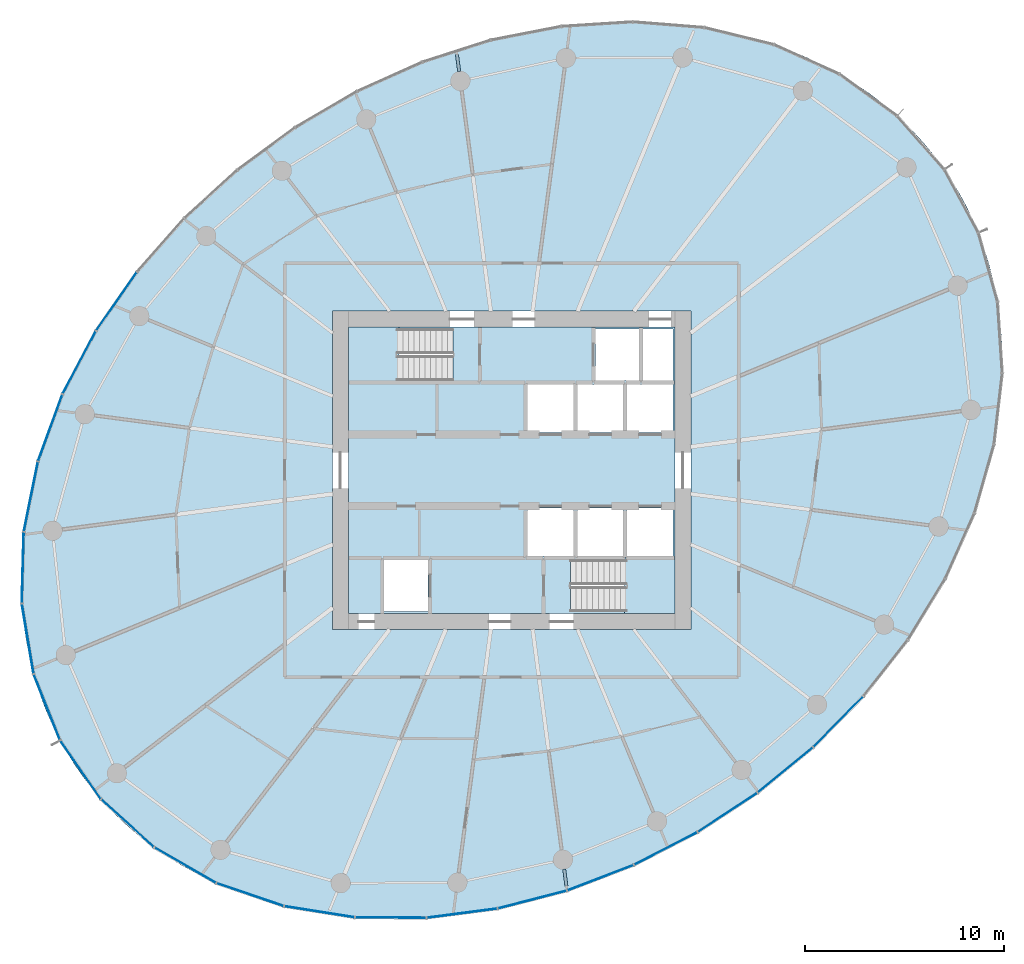
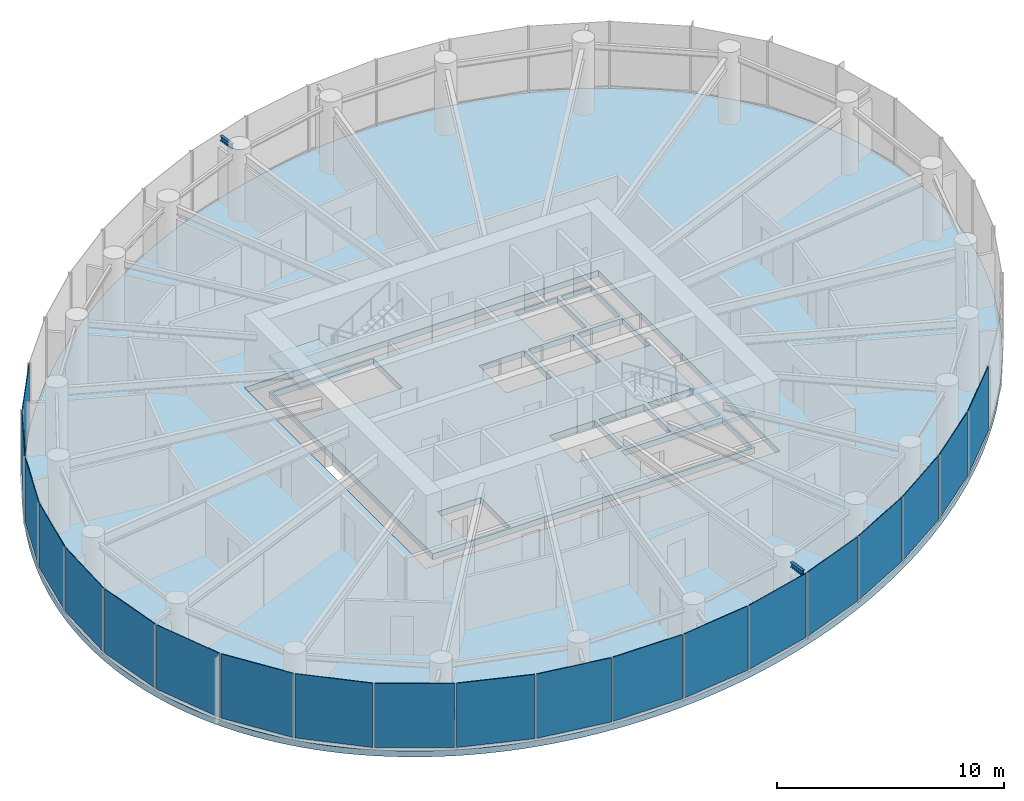
# One storey, part 7 of 14: 20 plates, 4 slabs, 2 beams, 6 elements without a shape of their own.
"""IFC4 building model written with IfcOpenShell, lengths in metres."""

from ifc_helpers import new_model, si_unit, direction, frame, origin, origin_2d, place, context, subcontext, project, spatial, line, indexed_curve, rectangle, i_section, outline, extrude, source, transform, mapped, material, layer, layer_set, material_profile, profile_set, type_object, element, aggregate, save


model = new_model("IFC4")

# Units and contexts
model_context = context("Model", 3, precision=1e-05, world=origin(), true_north=direction((0.0, 1.0)))
body_context = subcontext(model_context, "Body", "Model", "MODEL_VIEW")
ifc_project = project(units=[si_unit("LENGTHUNIT", "METRE"), si_unit("AREAUNIT", "SQUARE_METRE"), si_unit("VOLUMEUNIT", "CUBIC_METRE"), si_unit("PLANEANGLEUNIT", "RADIAN"), si_unit("MASSUNIT", "GRAM", prefix="KILO")], contexts=[model_context])

# Site, building, storey
site_placement = place(None, origin())
site = spatial("IfcSite", under=ifc_project, at=site_placement, CompositionType="ELEMENT")
building_placement = place(site_placement, origin())
building = spatial("IfcBuilding", under=site, at=building_placement, Name="Spindrift Exchange Tower", CompositionType="ELEMENT")
storey_placement = place(building_placement, frame((0.0, 0.0, 156.5)))
storey = spatial("IfcBuildingStorey", under=building, at=storey_placement, Name="L37", CompositionType="ELEMENT", Elevation=156.5)

# Beams
ifc_material_1 = material(Name="Steel Grade 300", Category="steel")
ifc_material_profile = material_profile(ifc_material_1, i_section(OverallWidth=0.14599609375, OverallDepth=0.251953125, WebThickness=0.006103515625, FlangeThickness=0.008544921875, FilletRadius=0.011962890625, at=origin_2d()), Name="250UB31.4")
ifc_profile_set = profile_set([ifc_material_profile], Name="Steel Grade 300")
beam_type = type_object("IfcBeamType", Name="Cantilever Beam 250UB31.4 Steel Grade 300", PredefinedType="BEAM", material=ifc_profile_set)
shared_shape_1 = source(origin(), body_context, "Body", "SweptSolid", [
    extrude(i_section(OverallWidth=0.14599609375, OverallDepth=0.251953125, WebThickness=0.006103515625, FlangeThickness=0.008544921875, FilletRadius=0.011962890625, at=origin_2d()), origin(), (0.0, 0.0, 1.0), 0.859619140625),
])
for number, where, z_axis, x_axis, name in (
    (1, (49.36328125, 68.027099609375, 3.4541015625), (-0.130359005339, 0.991466857604, 0.0), (-0.991466857604, -0.130359005339, 0.0), "L37 cantilever beam R07T"),
    (2, (54.63671875, 27.972900390625, 3.4541015625), (0.130359005339, -0.991466857604, 0.0), (0.991466857604, 0.130359005339, 0.0), "L37 cantilever beam R19T"),
):
    element("IfcBeam", number, at=place(storey_placement, frame(where, z_axis=z_axis, x_axis=x_axis)), inside=storey, type_object=beam_type, Name=name, PredefinedType="BEAM", context=body_context, shape_type="MappedRepresentation", body=[
        mapped(shared_shape_1, transform((0.0, 0.0, 0.0), scale=1.0)),
    ])

# Slabs
ifc_material_2 = material(Name="Concrete 40 MPa", Category="concrete")
ifc_layer_1 = layer(ifc_material_2, 0.320068359375)
ifc_layer_set_1 = layer_set([ifc_layer_1], Name="RC Floor Slab 320 Concrete 40 MPa")
slab_type_1 = type_object("IfcSlabType", Name="RC Floor Slab 320 Concrete 40 MPa", PredefinedType="FLOOR", material=ifc_layer_set_1)
slab_1_placement = place(storey_placement, frame((0.0, 0.0, -0.320068359375)))
element("IfcSlab", 3, at=slab_1_placement, inside=storey, type_object=slab_type_1, Name="Floor slab L37", PredefinedType="FLOOR", context=body_context, shape_type="SweptSolid", body=[
    extrude(outline(indexed_curve([(73.730224609375, 63.10009765625), (73.49169921875, 63.433837890625), (73.244384765625, 63.76123046875), (72.989013671875, 64.08203125), (72.724853515625, 64.396240234375), (72.452880859375, 64.703369140625), (72.173095703125, 65.00341796875), (71.885498046875, 65.2958984375), (71.590576171875, 65.581298828125), (71.288330078125, 65.858642578125), (70.979248046875, 66.12841796875), (70.66357421875, 66.390380859375), (70.34130859375, 66.644287109375), (70.0126953125, 66.890380859375), (69.33837890625, 67.35791015625), (68.642578125, 67.79248046875), (67.927001953125, 68.19384765625), (67.5625, 68.382080078125), (66.821044921875, 68.733642578125), (66.444580078125, 68.89697265625), (65.681884765625, 69.19921875), (64.906982421875, 69.468994140625), (64.515380859375, 69.591796875), (63.725341796875, 69.8134765625), (62.92724609375, 70.00390625), (62.525634765625, 70.087646484375), (61.718017578125, 70.232421875), (61.312255859375, 70.29345703125), (60.497802734375, 70.393798828125), (60.089599609375, 70.433349609375), (59.27099609375, 70.490966796875), (58.861083984375, 70.50927734375), (58.040771484375, 70.52587890625), (57.630615234375, 70.52392578125), (56.810302734375, 70.500732421875), (56.400390625, 70.4794921875), (55.582275390625, 70.418212890625), (55.173828125, 70.378173828125), (54.359130859375, 70.280029296875), (53.5478515625, 70.158203125), (53.143310546875, 70.088623046875), (52.739990234375, 70.013427734375), (51.936767578125, 69.845947265625), (51.138427734375, 69.656494140625), (50.7412109375, 69.5537109375), (50.345458984375, 69.445556640625), (49.558349609375, 69.213623046875), (49.167236328125, 69.08984375), (48.389892578125, 68.827392578125), (47.619384765625, 68.544921875), (47.23681640625, 68.396484375), (46.856201171875, 68.243408203125), (46.10107421875, 67.922607421875), (45.35400390625, 67.583251953125), (44.9833984375, 67.406494140625), (44.615234375, 67.2255859375), (43.8857421875, 66.85009765625), (42.808837890625, 66.25390625), (42.103271484375, 65.835205078125), (41.40771484375, 65.399658203125), (40.384521484375, 64.715576171875), (39.38671875, 63.9951171875), (38.73583984375, 63.495361328125), (38.097412109375, 62.97998046875), (37.1630859375, 62.1787109375), (36.8583984375, 61.904052734375), (36.2587890625, 61.343994140625), (35.673095703125, 60.769287109375), (35.385498046875, 60.4765625), (35.1015625, 60.180419921875), (34.545166015625, 59.577392578125), (34.00390625, 58.96044921875), (33.7392578125, 58.64697265625), (33.22216796875, 58.010009765625), (32.9697265625, 57.686279296875), (32.7216796875, 57.359619140625), (32.238525390625, 56.6962890625), (32.003662109375, 56.360107421875), (31.547607421875, 55.677734375), (31.110595703125, 54.9833984375), (30.8994140625, 54.631591796875), (30.491943359375, 53.919189453125), (30.2958984375, 53.558837890625), (29.919921875, 52.82958984375), (29.739990234375, 52.460693359375), (29.397216796875, 51.71533203125), (29.234375, 51.338623046875), (28.926513671875, 50.578125), (28.78173828125, 50.194091796875), (28.643310546875, 49.80810546875), (28.385498046875, 49.029052734375), (28.266357421875, 48.636474609375), (28.048583984375, 47.84521484375), (27.8583984375, 47.047119140625), (27.7744140625, 46.6455078125), (27.62841796875, 45.838134765625), (27.566650390625, 45.432373046875), (27.466796875, 44.617919921875), (27.428955078125, 44.20947265625), (27.377685546875, 43.390380859375), (27.360107421875, 42.5703125), (27.37744140625, 41.75), (27.3994140625, 41.340087890625), (27.470458984375, 40.522705078125), (27.51953125, 40.115478515625), (27.646240234375, 39.3046875), (27.810791015625, 38.5009765625), (28.013671875, 37.705810546875), (28.129638671875, 37.3125), (28.25537109375, 36.921875), (28.390625, 36.534423828125), (28.535888671875, 36.150634765625), (28.690673828125, 35.770751953125), (28.85498046875, 35.394775390625), (29.029052734375, 35.023193359375), (29.21240234375, 34.65625), (29.405517578125, 34.294189453125), (29.60791015625, 33.9375), (29.8193359375, 33.5859375), (30.0400390625, 33.239990234375), (30.269775390625, 32.89990234375), (30.50830078125, 32.566162109375), (30.755615234375, 32.23876953125), (31.010986328125, 31.91796875), (31.275146484375, 31.603759765625), (31.547119140625, 31.296630859375), (31.826904296875, 30.99658203125), (32.114501953125, 30.7041015625), (32.409423828125, 30.418701171875), (32.711669921875, 30.141357421875), (33.020751953125, 29.87158203125), (33.33642578125, 29.609619140625), (33.65869140625, 29.355712890625), (33.9873046875, 29.109619140625), (34.66162109375, 28.64208984375), (35.357421875, 28.20751953125), (36.072998046875, 27.80615234375), (36.4375, 27.617919921875), (37.178955078125, 27.266357421875), (37.555419921875, 27.10302734375), (38.318115234375, 26.80078125), (39.093017578125, 26.531005859375), (39.484619140625, 26.408203125), (40.274658203125, 26.1865234375), (41.07275390625, 25.99609375), (41.474365234375, 25.912353515625), (42.281982421875, 25.767578125), (42.687744140625, 25.70654296875), (43.502197265625, 25.606201171875), (43.910400390625, 25.566650390625), (44.72900390625, 25.509033203125), (45.138916015625, 25.49072265625), (45.959228515625, 25.47412109375), (46.369384765625, 25.47607421875), (47.189697265625, 25.499267578125), (47.599609375, 25.5205078125), (48.417724609375, 25.581787109375), (48.826171875, 25.621826171875), (49.640869140625, 25.719970703125), (50.4521484375, 25.841796875), (50.856689453125, 25.911376953125), (51.260009765625, 25.986572265625), (52.063232421875, 26.154052734375), (52.861572265625, 26.343505859375), (53.2587890625, 26.4462890625), (53.654541015625, 26.554443359375), (54.441650390625, 26.786376953125), (54.832763671875, 26.91015625), (55.610107421875, 27.172607421875), (56.380615234375, 27.455078125), (56.76318359375, 27.603515625), (57.143798828125, 27.756591796875), (57.89892578125, 28.077392578125), (58.64599609375, 28.416748046875), (59.0166015625, 28.593505859375), (59.384765625, 28.7744140625), (60.1142578125, 29.14990234375), (61.191162109375, 29.74609375), (61.896728515625, 30.164794921875), (62.59228515625, 30.600341796875), (63.615478515625, 31.284423828125), (64.61328125, 32.0048828125), (65.26416015625, 32.504638671875), (65.902587890625, 33.02001953125), (66.8369140625, 33.8212890625), (67.1416015625, 34.095947265625), (67.7412109375, 34.656005859375), (68.326904296875, 35.230712890625), (68.614501953125, 35.5234375), (68.8984375, 35.819580078125), (69.454833984375, 36.422607421875), (69.99609375, 37.03955078125), (70.2607421875, 37.35302734375), (70.77783203125, 37.989990234375), (71.0302734375, 38.313720703125), (71.2783203125, 38.640380859375), (71.761474609375, 39.3037109375), (71.996337890625, 39.639892578125), (72.452392578125, 40.322265625), (72.889404296875, 41.0166015625), (73.1005859375, 41.368408203125), (73.508056640625, 42.080810546875), (73.7041015625, 42.441162109375), (74.080078125, 43.17041015625), (74.260009765625, 43.539306640625), (74.602783203125, 44.28466796875), (74.765625, 44.661376953125), (75.073486328125, 45.421875), (75.21826171875, 45.805908203125), (75.356689453125, 46.19189453125), (75.614501953125, 46.970947265625), (75.733642578125, 47.363525390625), (75.951416015625, 48.15478515625), (76.1416015625, 48.952880859375), (76.2255859375, 49.3544921875), (76.37158203125, 50.161865234375), (76.433349609375, 50.567626953125), (76.533203125, 51.382080078125), (76.571044921875, 51.79052734375), (76.622314453125, 52.609619140625), (76.639892578125, 53.4296875), (76.62255859375, 54.25), (76.6005859375, 54.659912109375), (76.529541015625, 55.477294921875), (76.48046875, 55.884521484375), (76.353759765625, 56.6953125), (76.189208984375, 57.4990234375), (75.986328125, 58.294189453125), (75.870361328125, 58.6875), (75.74462890625, 59.078125), (75.609375, 59.465576171875), (75.464111328125, 59.849365234375), (75.309326171875, 60.229248046875), (75.14501953125, 60.605224609375), (74.970947265625, 60.976806640625), (74.78759765625, 61.34375), (74.594482421875, 61.705810546875), (74.39208984375, 62.0625), (74.1806640625, 62.4140625), (73.9599609375, 62.760009765625)], segments=[line(1, 2, 3, 4, 5, 6, 7, 8, 9, 10, 11, 12, 13, 14, 15, 16, 17, 18, 19, 20, 21, 22, 23, 24, 25, 26, 27, 28, 29, 30, 31, 32, 33, 34, 35, 36, 37, 38, 39, 40, 41, 42, 43, 44, 45, 46, 47, 48, 49, 50, 51, 52, 53, 54, 55, 56, 57, 58, 59, 60, 61, 62, 63, 64, 65, 66, 67, 68, 69, 70, 71, 72, 73, 74, 75, 76, 77, 78, 79, 80, 81, 82, 83, 84, 85, 86, 87, 88, 89, 90, 91, 92, 93, 94, 95, 96, 97, 98, 99, 100, 101, 102, 103, 104, 105, 106, 107, 108, 109, 110, 111, 112, 113, 114, 115, 116, 117, 118, 119, 120, 121, 122, 123, 124, 125, 126, 127, 128, 129, 130, 131, 132, 133, 134, 135, 136, 137, 138, 139, 140, 141, 142, 143, 144, 145, 146, 147, 148, 149, 150, 151, 152, 153, 154, 155, 156, 157, 158, 159, 160, 161, 162, 163, 164, 165, 166, 167, 168, 169, 170, 171, 172, 173, 174, 175, 176, 177, 178, 179, 180, 181, 182, 183, 184, 185, 186, 187, 188, 189, 190, 191, 192, 193, 194, 195, 196, 197, 198, 199, 200, 201, 202, 203, 204, 205, 206, 207, 208, 209, 210, 211, 212, 213, 214, 215, 216, 217, 218, 219, 220, 221, 222, 223, 224, 225, 226, 227, 228, 229, 230, 231, 232, 233, 234, 235, 236, 237, 238, 239, 240, 1)], self_intersect=False), holes=[indexed_curve([(43.0, 40.0), (61.0, 40.0), (61.0, 56.0), (43.0, 56.0)], segments=[line(1, 2, 3, 4, 1)], self_intersect=False)]), origin(), (0.0, 0.0, 1.0), 0.320068359375),
])
ifc_material_3 = material(Name="Concrete 50 MPa", Category="concrete")
ifc_layer_2 = layer(ifc_material_3, 0.320068359375)
ifc_layer_set_2 = layer_set([ifc_layer_2], Name="SL-CORE-FLOOR-320")
slab_type_2 = type_object("IfcSlabType", Name="SL-CORE-FLOOR-320", PredefinedType="FLOOR", material=ifc_layer_set_2)
slab_2_placement = place(storey_placement, frame((0.0, 0.0, -0.320068359375)))
element("IfcSlab", 4, at=slab_2_placement, inside=storey, type_object=slab_type_2, Name="L37 Core floor slab", PredefinedType="FLOOR", context=body_context, shape_type="SweptSolid", body=[
    extrude(outline(indexed_curve([(43.800048828125, 40.800048828125), (43.800048828125, 55.199951171875), (60.199951171875, 55.199951171875), (60.199951171875, 40.800048828125)], segments=[line(1, 2, 3, 4, 1)], self_intersect=False), holes=[indexed_curve([(45.60009765625, 43.5), (45.60009765625, 40.89990234375), (47.800048828125, 40.89990234375), (47.800048828125, 43.5)], segments=[line(1, 2, 3, 4, 1)], self_intersect=False), indexed_curve([(52.800048828125, 46.10009765625), (52.800048828125, 43.699951171875), (55.10009765625, 43.699951171875), (55.10009765625, 46.10009765625)], segments=[line(1, 2, 3, 4, 1)], self_intersect=False), indexed_curve([(55.300048828125, 46.10009765625), (55.300048828125, 43.699951171875), (57.60009765625, 43.699951171875), (57.60009765625, 46.10009765625)], segments=[line(1, 2, 3, 4, 1)], self_intersect=False), indexed_curve([(55.10009765625, 52.300048828125), (52.800048828125, 52.300048828125), (52.800048828125, 49.89990234375), (55.10009765625, 49.89990234375)], segments=[line(1, 2, 3, 4, 1)], self_intersect=False), indexed_curve([(57.60009765625, 52.300048828125), (55.300048828125, 52.300048828125), (55.300048828125, 49.89990234375), (57.60009765625, 49.89990234375)], segments=[line(1, 2, 3, 4, 1)], self_intersect=False), indexed_curve([(43.906005859375, 52.506103515625), (49.0439453125, 52.506103515625), (49.0439453125, 55.093994140625), (43.906005859375, 55.093994140625)], segments=[line(1, 2, 3, 4, 1)], self_intersect=False), indexed_curve([(60.093994140625, 40.906005859375), (60.093994140625, 43.493896484375), (54.9560546875, 43.493896484375), (54.9560546875, 40.906005859375)], segments=[line(1, 2, 3, 4, 1)], self_intersect=False), indexed_curve([(60.10009765625, 46.10009765625), (57.800048828125, 46.10009765625), (57.800048828125, 43.699951171875), (60.10009765625, 43.699951171875)], segments=[line(1, 2, 3, 4, 1)], self_intersect=False), indexed_curve([(57.800048828125, 52.300048828125), (57.800048828125, 49.89990234375), (60.10009765625, 49.89990234375), (60.10009765625, 52.300048828125)], segments=[line(1, 2, 3, 4, 1)], self_intersect=False), indexed_curve([(58.39990234375, 55.10009765625), (56.199951171875, 55.10009765625), (56.199951171875, 52.5), (58.39990234375, 52.5)], segments=[line(1, 2, 3, 4, 1)], self_intersect=False), indexed_curve([(60.10009765625, 55.10009765625), (58.60009765625, 55.10009765625), (58.60009765625, 52.5), (60.10009765625, 52.5)], segments=[line(1, 2, 3, 4, 1)], self_intersect=False)]), origin(), (0.0, 0.0, 1.0), 0.320068359375),
])

# Stair, slab
stair_type = type_object("IfcStairType", Name="ST-1250-R177", PredefinedType="HALF_TURN_STAIR", material=ifc_material_3)
stair_1_placement = place(storey_placement, origin())
stair_1 = element("IfcStair", 5, at=stair_1_placement, inside=storey, type_object=stair_type, Name="L37 Exit stair ST1", PredefinedType="HALF_TURN_STAIR")
ifc_layer_3 = layer(ifc_material_3, 0.199951171875)
ifc_layer_set_3 = layer_set([ifc_layer_3], Name="SL-LANDING")
slab_type_3 = type_object("IfcSlabType", Name="SL-LANDING", PredefinedType="LANDING", material=ifc_layer_set_3)
slab_3_placement = place(storey_placement, frame((0.0, 0.0, 1.75)))
slab_3 = element("IfcSlab", 6, at=slab_3_placement, type_object=slab_type_3, Name="ST1 landing 1", PredefinedType="LANDING", context=body_context, shape_type="SweptSolid", body=[
    extrude(outline(indexed_curve([(46.330078125, 52.39990234375), (43.800048828125, 52.39990234375), (43.800048828125, 55.199951171875), (46.330078125, 55.199951171875)], segments=[line(1, 2, 3, 4, 1)], self_intersect=False)), origin(), (0.0, 0.0, 1.0), 0.199951171875),
])
aggregate(stair_1, [slab_3])

stair_2_placement = place(storey_placement, origin())
stair_2 = element("IfcStair", 7, at=stair_2_placement, inside=storey, type_object=stair_type, Name="L37 Exit stair ST2", PredefinedType="HALF_TURN_STAIR")
slab_4_placement = place(storey_placement, frame((0.0, 0.0, 1.75)))
slab_4 = element("IfcSlab", 8, at=slab_4_placement, type_object=slab_type_3, Name="ST2 landing 1", PredefinedType="LANDING", context=body_context, shape_type="SweptSolid", body=[
    extrude(outline(indexed_curve([(57.669921875, 43.60009765625), (60.199951171875, 43.60009765625), (60.199951171875, 40.800048828125), (57.669921875, 40.800048828125)], segments=[line(1, 2, 3, 4, 1)], self_intersect=False)), origin(), (0.0, 0.0, 1.0), 0.199951171875),
])
aggregate(stair_2, [slab_4])

# Curtain wall, plate
ifc_material_4 = material(Name="Fritted laminated glass with bronze frame", Category="glass")
ifc_layer_4 = layer(ifc_material_4, 0.179931640625)
ifc_layer_set_4 = layer_set([ifc_layer_4], Name="ZONE 3 BRONZE FRITTED WALL")
curtain_wall_type = type_object("IfcCurtainWallType", Name="ZONE 3 BRONZE FRITTED WALL", PredefinedType="NOTDEFINED", material=ifc_layer_set_4)
curtain_wall_1_placement = place(storey_placement, origin())
curtain_wall_1 = element("IfcCurtainWall", 9, at=curtain_wall_1_placement, inside=storey, type_object=curtain_wall_type, Name="L37 Zone 3 Bronze Fritted Wall run 3", PredefinedType="NOTDEFINED")
ifc_material_5 = material(Name="Bronze fritted laminated glass, open frit", Category="glass")
ifc_layer_5 = layer(ifc_material_5, 0.031982421875)
ifc_layer_set_5 = layer_set([ifc_layer_5], Name="ZONE 3 BRONZE FRITTED WALL PANEL OPEN FRIT 360")
plate_type_1 = type_object("IfcPlateType", Name="ZONE 3 BRONZE FRITTED WALL PANEL OPEN FRIT 360", PredefinedType="CURTAIN_PANEL", material=ifc_layer_set_5)
shared_shape_2 = source(origin(), body_context, "Body", "SweptSolid", [
    extrude(rectangle(XDim=3.530517578125, YDim=0.031982421875, at=origin_2d()), origin(), (0.0, 0.0, 1.0), 3.449951171875),
])
plate_1_placement = place(storey_placement, frame((32.155517578125, 56.48583984375, 0.1298828125), z_axis=(0.0, 0.0, 1.0), x_axis=(-0.571790823965, -0.820399447604, 0.0)))
plate_1 = element("IfcPlate", 10, at=plate_1_placement, type_object=plate_type_1, Name="L37 panel CW-3.14", PredefinedType="CURTAIN_PANEL", context=body_context, shape_type="MappedRepresentation", body=[
    mapped(shared_shape_2, transform((0.0, 0.0, 0.0), scale=1.0)),
])

# Curtain wall, plates
curtain_wall_2_placement = place(storey_placement, origin())
curtain_wall_2 = element("IfcCurtainWall", 11, at=curtain_wall_2_placement, inside=storey, type_object=curtain_wall_type, Name="L37 Zone 3 Bronze Fritted Wall run 5", PredefinedType="NOTDEFINED")
plate_2_placement = place(storey_placement, frame((53.032470703125, 26.44189453125, 0.1298828125), z_axis=(0.0, 0.0, 1.0), x_axis=(0.968298664298, 0.249795309643, 0.0)))
plate_2 = element("IfcPlate", 12, at=plate_2_placement, type_object=plate_type_1, Name="L37 panel CW-3.28", PredefinedType="CURTAIN_PANEL", context=body_context, shape_type="MappedRepresentation", body=[
    mapped(shared_shape_2, transform((0.0, 0.0, 0.0), scale=1.0)),
])
ifc_layer_6 = layer(ifc_material_5, 0.031982421875)
ifc_layer_set_6 = layer_set([ifc_layer_6], Name="ZONE 3 BRONZE FRITTED WALL PANEL OPEN FRIT 600")
plate_type_2 = type_object("IfcPlateType", Name="ZONE 3 BRONZE FRITTED WALL PANEL OPEN FRIT 600", PredefinedType="CURTAIN_PANEL", material=ifc_layer_set_6)
shared_shape_3 = source(origin(), body_context, "Body", "SweptSolid", [
    extrude(rectangle(XDim=3.53076171875, YDim=0.031982421875, at=origin_2d()), origin(), (0.0, 0.0, 1.0), 3.449951171875),
])
plate_3_placement = place(storey_placement, frame((56.456298828125, 27.537353515625, 0.1298828125), z_axis=(0.0, 0.0, 1.0), x_axis=(0.93346967375, 0.358656337166, 0.0)))
plate_3 = element("IfcPlate", 13, at=plate_3_placement, type_object=plate_type_2, Name="L37 panel CW-3.29", PredefinedType="CURTAIN_PANEL", context=body_context, shape_type="MappedRepresentation", body=[
    mapped(shared_shape_3, transform((0.0, 0.0, 0.0), scale=1.0)),
])
plate_4_placement = place(storey_placement, frame((59.737548828125, 29.007080078125, 0.1298828125), z_axis=(0.0, 0.0, 1.0), x_axis=(0.889077069424, 0.457757539123, 0.0)))
plate_4 = element("IfcPlate", 14, at=plate_4_placement, type_object=plate_type_2, Name="L37 panel CW-3.30", PredefinedType="CURTAIN_PANEL", context=body_context, shape_type="MappedRepresentation", body=[
    mapped(shared_shape_3, transform((0.0, 0.0, 0.0), scale=1.0)),
])

curtain_wall_3_placement = place(storey_placement, origin())
curtain_wall_3 = element("IfcCurtainWall", 15, at=curtain_wall_3_placement, inside=storey, type_object=curtain_wall_type, Name="L37 Zone 3 Bronze Fritted Wall run 6", PredefinedType="NOTDEFINED")
shared_shape_4 = source(origin(), body_context, "Body", "SweptSolid", [
    extrude(rectangle(XDim=3.531005859375, YDim=0.031982421875, at=origin_2d()), origin(), (0.0, 0.0, 1.0), 3.449951171875),
])
plate_5_placement = place(storey_placement, frame((62.84326171875, 30.819580078125, 0.1298828125), z_axis=(0.0, 0.0, 1.0), x_axis=(0.835875388967, 0.548919241891, 0.0)))
plate_5 = element("IfcPlate", 16, at=plate_5_placement, type_object=plate_type_2, Name="L37 panel CW-3.31", PredefinedType="CURTAIN_PANEL", context=body_context, shape_type="MappedRepresentation", body=[
    mapped(shared_shape_4, transform((0.0, 0.0, 0.0), scale=1.0)),
])
shared_shape_5 = source(origin(), body_context, "Body", "SweptSolid", [
    extrude(rectangle(XDim=3.53076171875, YDim=0.031982421875, at=origin_2d()), origin(), (0.0, 0.0, 1.0), 3.449951171875),
])
plate_6_placement = place(storey_placement, frame((68.397705078125, 35.37158203125, 0.1298828125), z_axis=(0.0, 0.0, 1.0), x_axis=(0.701796304314, 0.71237767178, 0.0)))
plate_6 = element("IfcPlate", 17, at=plate_6_placement, type_object=plate_type_1, Name="L37 panel CW-3.33", PredefinedType="CURTAIN_PANEL", context=body_context, shape_type="MappedRepresentation", body=[
    mapped(shared_shape_5, transform((0.0, 0.0, 0.0), scale=1.0)),
])

curtain_wall_4_placement = place(storey_placement, origin())
curtain_wall_4 = element("IfcCurtainWall", 18, at=curtain_wall_4_placement, inside=storey, type_object=curtain_wall_type, Name="L37 Zone 3 Bronze Fritted Wall run 4", PredefinedType="NOTDEFINED")
shared_shape_6 = source(origin(), body_context, "Body", "SweptSolid", [
    extrude(rectangle(XDim=3.527587890625, YDim=0.031982421875, at=origin_2d()), origin(), (0.0, 0.0, 1.0), 3.449951171875),
])
plate_7_placement = place(storey_placement, frame((38.86328125, 26.69384765625, 0.1298828125), z_axis=(0.0, 0.0, 1.0), x_axis=(0.946458984013, -0.322824087673, 0.0)))
plate_7 = element("IfcPlate", 19, at=plate_7_placement, type_object=plate_type_1, Name="L37 panel CW-3.24", PredefinedType="CURTAIN_PANEL", context=body_context, shape_type="MappedRepresentation", body=[
    mapped(shared_shape_6, transform((0.0, 0.0, 0.0), scale=1.0)),
])
shared_shape_7 = source(origin(), body_context, "Body", "SweptSolid", [
    extrude(rectangle(XDim=3.525146484375, YDim=0.031982421875, at=origin_2d()), origin(), (0.0, 0.0, 1.0), 3.449951171875),
])
plate_8_placement = place(storey_placement, frame((28.662109375, 36.104248046875, 0.1298828125), z_axis=(0.0, 0.0, 1.0), x_axis=(0.371089090503, -0.928597268416, 0.0)))
plate_8 = element("IfcPlate", 20, at=plate_8_placement, type_object=plate_type_2, Name="L37 panel CW-3.20", PredefinedType="CURTAIN_PANEL", context=body_context, shape_type="MappedRepresentation", body=[
    mapped(shared_shape_7, transform((0.0, 0.0, 0.0), scale=1.0)),
])

# Plate
shared_shape_8 = source(origin(), body_context, "Body", "SweptSolid", [
    extrude(rectangle(XDim=3.527587890625, YDim=0.031982421875, at=origin_2d()), origin(), (0.0, 0.0, 1.0), 3.449951171875),
])
plate_9_placement = place(storey_placement, frame((27.4501953125, 43.118408203125, 0.1298828125), z_axis=(0.0, 0.0, 1.0), x_axis=(-0.02754653728, -0.99962052214, 0.0)))
plate_9 = element("IfcPlate", 21, at=plate_9_placement, type_object=plate_type_2, Name="L37 panel CW-3.18", PredefinedType="CURTAIN_PANEL", context=body_context, shape_type="MappedRepresentation", body=[
    mapped(shared_shape_8, transform((0.0, 0.0, 0.0), scale=1.0)),
])

shared_shape_9 = source(origin(), body_context, "Body", "SweptSolid", [
    extrude(rectangle(XDim=3.530029296875, YDim=0.031982421875, at=origin_2d()), origin(), (0.0, 0.0, 1.0), 3.449951171875),
])
plate_10_placement = place(storey_placement, frame((30.2861328125, 53.4169921875, 0.1298828125), z_axis=(0.0, 0.0, 1.0), x_axis=(-0.466738609196, -0.884395313582, 0.0)))
plate_10 = element("IfcPlate", 22, at=plate_10_placement, type_object=plate_type_2, Name="L37 panel CW-3.15", PredefinedType="CURTAIN_PANEL", context=body_context, shape_type="MappedRepresentation", body=[
    mapped(shared_shape_9, transform((0.0, 0.0, 0.0), scale=1.0)),
])

ifc_layer_7 = layer(ifc_material_5, 0.031982421875)
ifc_layer_set_7 = layer_set([ifc_layer_7], Name="ZONE 3 BRONZE FRITTED WALL PANEL OPEN FRIT 480")
plate_type_3 = type_object("IfcPlateType", Name="ZONE 3 BRONZE FRITTED WALL PANEL OPEN FRIT 480", PredefinedType="CURTAIN_PANEL", material=ifc_layer_set_7)
shared_shape_10 = source(origin(), body_context, "Body", "SweptSolid", [
    extrude(rectangle(XDim=3.531005859375, YDim=0.031982421875, at=origin_2d()), origin(), (0.0, 0.0, 1.0), 3.449951171875),
])
plate_11_placement = place(storey_placement, frame((65.7412109375, 32.948486328125, 0.1298828125), z_axis=(0.0, 0.0, 1.0), x_axis=(0.773741814614, 0.633501068916, 0.0)))
plate_11 = element("IfcPlate", 23, at=plate_11_placement, type_object=plate_type_3, Name="L37 panel CW-3.32", PredefinedType="CURTAIN_PANEL", context=body_context, shape_type="MappedRepresentation", body=[
    mapped(shared_shape_10, transform((0.0, 0.0, 0.0), scale=1.0)),
])

aggregate(curtain_wall_3, [plate_5, plate_11, plate_6])

shared_shape_11 = source(origin(), body_context, "Body", "SweptSolid", [
    extrude(rectangle(XDim=3.530029296875, YDim=0.031982421875, at=origin_2d()), origin(), (0.0, 0.0, 1.0), 3.449951171875),
])
plate_12_placement = place(storey_placement, frame((49.50439453125, 25.760009765625, 0.1298828125), z_axis=(0.0, 0.0, 1.0), x_axis=(0.991644390899, 0.129001558128, 0.0)))
plate_12 = element("IfcPlate", 24, at=plate_12_placement, type_object=plate_type_3, Name="L37 panel CW-3.27", PredefinedType="CURTAIN_PANEL", context=body_context, shape_type="MappedRepresentation", body=[
    mapped(shared_shape_11, transform((0.0, 0.0, 0.0), scale=1.0)),
])

shared_shape_12 = source(origin(), body_context, "Body", "SweptSolid", [
    extrude(rectangle(XDim=3.525146484375, YDim=0.031982421875, at=origin_2d()), origin(), (0.0, 0.0, 1.0), 3.449951171875),
])
plate_13_placement = place(storey_placement, frame((32.7119140625, 30.27587890625, 0.1298828125), z_axis=(0.0, 0.0, 1.0), x_axis=(0.740862039884, -0.671657232418, 0.0)))
plate_13 = element("IfcPlate", 25, at=plate_13_placement, type_object=plate_type_1, Name="L37 panel CW-3.22", PredefinedType="CURTAIN_PANEL", context=body_context, shape_type="MappedRepresentation", body=[
    mapped(shared_shape_12, transform((0.0, 0.0, 0.0), scale=1.0)),
])

shared_shape_13 = source(origin(), body_context, "Body", "SweptSolid", [
    extrude(rectangle(XDim=3.524658203125, YDim=0.031982421875, at=origin_2d()), origin(), (0.0, 0.0, 1.0), 3.449951171875),
])
plate_14_placement = place(storey_placement, frame((30.3544921875, 32.958984375, 0.1298828125), z_axis=(0.0, 0.0, 1.0), x_axis=(0.57065337277, -0.821191042417, 0.0)))
plate_14 = element("IfcPlate", 26, at=plate_14_placement, type_object=plate_type_3, Name="L37 panel CW-3.21", PredefinedType="CURTAIN_PANEL", context=body_context, shape_type="MappedRepresentation", body=[
    mapped(shared_shape_13, transform((0.0, 0.0, 0.0), scale=1.0)),
])

shared_shape_14 = source(origin(), body_context, "Body", "SweptSolid", [
    extrude(rectangle(XDim=3.529541015625, YDim=0.031982421875, at=origin_2d()), origin(), (0.0, 0.0, 1.0), 3.449951171875),
])
plate_15_placement = place(storey_placement, frame((28.828369140625, 50.134765625, 0.1298828125), z_axis=(0.0, 0.0, 1.0), x_axis=(-0.343161381521, -0.939276458894, 0.0)))
plate_15 = element("IfcPlate", 27, at=plate_15_placement, type_object=plate_type_1, Name="L37 panel CW-3.16", PredefinedType="CURTAIN_PANEL", context=body_context, shape_type="MappedRepresentation", body=[
    mapped(shared_shape_14, transform((0.0, 0.0, 0.0), scale=1.0)),
])

plate_16_placement = place(storey_placement, frame((45.919677734375, 25.53857421875, 0.1298828125), z_axis=(0.0, 0.0, 1.0), x_axis=(0.999982330968, -0.005944556421, 0.0)))
plate_16 = element("IfcPlate", 28, at=plate_16_placement, type_object=plate_type_1, Name="L37 panel CW-3.26", PredefinedType="CURTAIN_PANEL", context=body_context, shape_type="MappedRepresentation", body=[
    mapped(shared_shape_14, transform((0.0, 0.0, 0.0), scale=1.0)),
])

shared_shape_15 = source(origin(), body_context, "Body", "SweptSolid", [
    extrude(rectangle(XDim=3.526123046875, YDim=0.031982421875, at=origin_2d()), origin(), (0.0, 0.0, 1.0), 3.449951171875),
])
plate_17_placement = place(storey_placement, frame((27.69775390625, 39.546875, 0.1298828125), z_axis=(0.0, 0.0, 1.0), x_axis=(0.165255890745, -0.986250723992, 0.0)))
plate_17 = element("IfcPlate", 29, at=plate_17_placement, type_object=plate_type_1, Name="L37 panel CW-3.19", PredefinedType="CURTAIN_PANEL", context=body_context, shape_type="MappedRepresentation", body=[
    mapped(shared_shape_15, transform((0.0, 0.0, 0.0), scale=1.0)),
])

plate_18_placement = place(storey_placement, frame((35.602294921875, 28.17138671875, 0.1298828125), z_axis=(0.0, 0.0, 1.0), x_axis=(0.866715726567, -0.498802415112, 0.0)))
plate_18 = element("IfcPlate", 30, at=plate_18_placement, type_object=plate_type_1, Name="L37 panel CW-3.23", PredefinedType="CURTAIN_PANEL", context=body_context, shape_type="MappedRepresentation", body=[
    mapped(shared_shape_15, transform((0.0, 0.0, 0.0), scale=1.0)),
])

aggregate(curtain_wall_4, [plate_17, plate_8, plate_14, plate_13, plate_18, plate_7])

shared_shape_16 = source(origin(), body_context, "Body", "SweptSolid", [
    extrude(rectangle(XDim=3.52880859375, YDim=0.031982421875, at=origin_2d()), origin(), (0.0, 0.0, 1.0), 3.449951171875),
])
plate_19_placement = place(storey_placement, frame((27.855224609375, 46.680419921875, 0.1298828125), z_axis=(0.0, 0.0, 1.0), x_axis=(-0.197570083902, -0.980288764572, 0.0)))
plate_19 = element("IfcPlate", 31, at=plate_19_placement, type_object=plate_type_3, Name="L37 panel CW-3.17", PredefinedType="CURTAIN_PANEL", context=body_context, shape_type="MappedRepresentation", body=[
    mapped(shared_shape_16, transform((0.0, 0.0, 0.0), scale=1.0)),
])

aggregate(curtain_wall_1, [plate_1, plate_10, plate_15, plate_19, plate_9])

plate_20_placement = place(storey_placement, frame((42.3427734375, 25.831298828125, 0.1298828125), z_axis=(0.0, 0.0, 1.0), x_axis=(0.987646531845, -0.156698207187, 0.0)))
plate_20 = element("IfcPlate", 32, at=plate_20_placement, type_object=plate_type_3, Name="L37 panel CW-3.25", PredefinedType="CURTAIN_PANEL", context=body_context, shape_type="MappedRepresentation", body=[
    mapped(shared_shape_16, transform((0.0, 0.0, 0.0), scale=1.0)),
])

aggregate(curtain_wall_2, [plate_20, plate_16, plate_12, plate_2, plate_3, plate_4])

save(model, "model.ifc")
